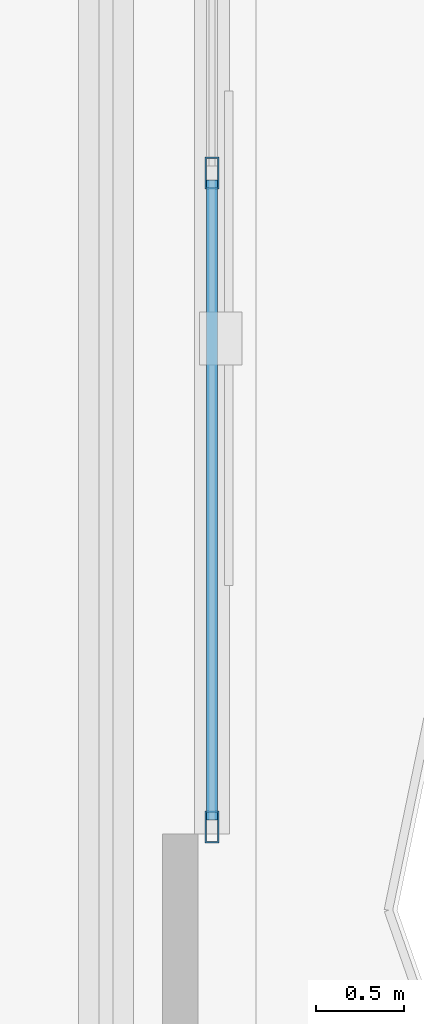
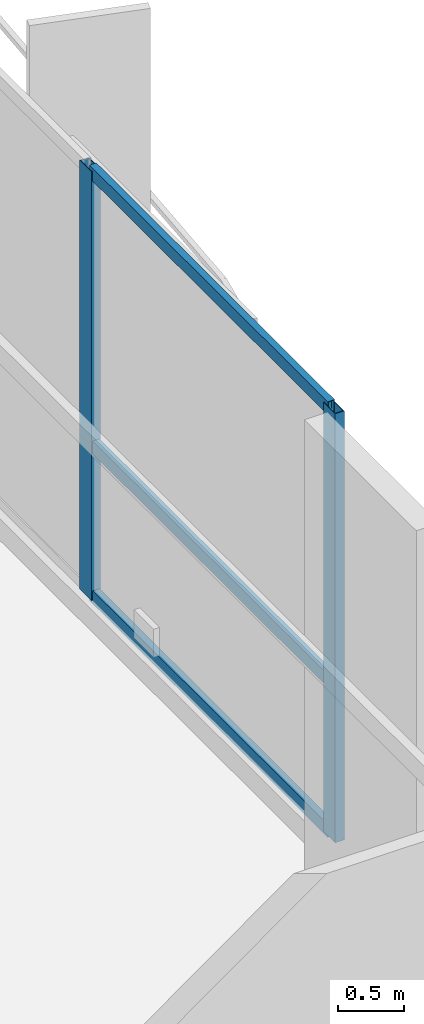
# One storey, part 7 of 20: 5 members, 1 element without a shape of its own.
"""IFC4 building model written with IfcOpenShell, lengths in metres."""

from ifc_helpers import new_model, si_unit, direction, frame, origin, origin_2d, place, context, subcontext, project, spatial, hollow_rectangle, extrude, material, layer, layer_set, material_profile, profile_set, type_object, element, aggregate, save


model = new_model("IFC4")

# Units and contexts
model_context = context("Model", 3, precision=1e-05, world=origin(), true_north=direction((0.0, 1.0)))
body_context = subcontext(model_context, "Body", "Model", "MODEL_VIEW")
ifc_project = project(units=[si_unit("LENGTHUNIT", "METRE"), si_unit("AREAUNIT", "SQUARE_METRE"), si_unit("VOLUMEUNIT", "CUBIC_METRE"), si_unit("PLANEANGLEUNIT", "RADIAN"), si_unit("MASSUNIT", "GRAM", prefix="KILO")], contexts=[model_context])

# Site, building, storey
site_placement = place(None, origin())
site = spatial("IfcSite", under=ifc_project, at=site_placement, CompositionType="ELEMENT")
building_placement = place(site_placement, origin())
building = spatial("IfcBuilding", under=site, at=building_placement, Name="Mersakhor Tower and Convention Hall", CompositionType="ELEMENT")
storey_placement = place(building_placement, frame((0.0, 0.0, 116.39990234375)))
storey = spatial("IfcBuildingStorey", under=building, at=storey_placement, Name="L32", CompositionType="ELEMENT", Elevation=116.39990234375)

# Curtain wall, members
ifc_material_1 = material(Name="Dark solar low-E aluminium curtain wall", Category="aluminium")
ifc_layer = layer(ifc_material_1, 0.199951171875)
ifc_layer_set = layer_set([ifc_layer], Name="Dark solar low-E aluminium curtain wall")
curtain_wall_type = type_object("IfcCurtainWallType", Name="CW-SYS-05", PredefinedType="USERDEFINED", material=ifc_layer_set)
curtain_wall_placement = place(storey_placement, origin())
curtain_wall = element("IfcCurtainWall", 1, at=curtain_wall_placement, inside=storey, type_object=curtain_wall_type, Name="L32 Dark-Glass Curtain Wall F2-B2", ObjectType="CURTAIN WALL", PredefinedType="USERDEFINED")
ifc_material_2 = material(Name="Anodised aluminium EN AW-6063 T6", Category="aluminium")
ifc_material_profile_1 = material_profile(ifc_material_2, hollow_rectangle(XDim=0.080078125, YDim=0.179931640625, WallThickness=0.008056640625, at=origin_2d()), Name="RHS 180x80x8")
ifc_profile_set_1 = profile_set([ifc_material_profile_1], Name="Anodised aluminium EN AW-6063 T6")
member_type_1 = type_object("IfcMemberType", Name="CWM-180x80", PredefinedType="MULLION", material=ifc_profile_set_1)
member_1_placement = place(storey_placement, frame((43.03466796875, 24.87841796875, 0.2001953125), z_axis=(0.0, 0.0, 1.0), x_axis=(1.0, 0.0, 0.0)))
member_1 = element("IfcMember", 2, at=member_1_placement, type_object=member_type_1, Name="CW-05 mullion 3", PredefinedType="MULLION", context=body_context, shape_type="SweptSolid", body=[
    extrude(hollow_rectangle(XDim=0.080078125, YDim=0.179931640625, WallThickness=0.008056640625, at=origin_2d()), origin(), (0.0, 0.0, 1.0), 3.97998046875),
])
member_2_placement = place(storey_placement, frame((43.03466796875, 21.17529296875, 0.2001953125), z_axis=(0.0, 0.0, 1.0), x_axis=(1.0, 0.0, 0.0)))
member_2 = element("IfcMember", 3, at=member_2_placement, type_object=member_type_1, Name="CW-05 mullion 4", PredefinedType="MULLION", context=body_context, shape_type="SweptSolid", body=[
    extrude(hollow_rectangle(XDim=0.080078125, YDim=0.179931640625, WallThickness=0.008056640625, at=origin_2d()), origin(), (0.0, 0.0, 1.0), 3.97998046875),
])
ifc_material_3 = material(Name="Anodised aluminium EN AW-6063 T6", Category="aluminium")
ifc_material_profile_2 = material_profile(ifc_material_3, hollow_rectangle(XDim=0.06005859375, YDim=0.1201171875, WallThickness=0.0048828125, at=origin_2d()), Name="RHS 120x60x5")
ifc_profile_set_2 = profile_set([ifc_material_profile_2], Name="Anodised aluminium EN AW-6063 T6")
member_type_2 = type_object("IfcMemberType", Name="CWT-120x60", PredefinedType="USERDEFINED", material=ifc_profile_set_2)
member_3_placement = place(storey_placement, frame((43.03466796875, 24.83837890625, 0.22998046875), z_axis=(0.0, -1.0, 0.0), x_axis=(1.0, 0.0, 0.0)))
member_3 = element("IfcMember", 4, at=member_3_placement, type_object=member_type_2, Name="CW-05 transom 3.1", ObjectType="TRANSOM", PredefinedType="USERDEFINED", context=body_context, shape_type="SweptSolid", body=[
    extrude(hollow_rectangle(XDim=0.06005859375, YDim=0.1201171875, WallThickness=0.0048828125, at=origin_2d()), origin(), (0.0, 0.0, 1.0), 3.623291015625),
])
member_4_placement = place(storey_placement, frame((43.03466796875, 24.83837890625, 1.6201171875), z_axis=(0.0, -1.0, 0.0), x_axis=(1.0, 0.0, 0.0)))
member_4 = element("IfcMember", 5, at=member_4_placement, type_object=member_type_2, Name="CW-05 transom 3.2", ObjectType="TRANSOM", PredefinedType="USERDEFINED", context=body_context, shape_type="SweptSolid", body=[
    extrude(hollow_rectangle(XDim=0.06005859375, YDim=0.1201171875, WallThickness=0.0048828125, at=origin_2d()), origin(), (0.0, 0.0, 1.0), 3.623291015625),
])
member_5_placement = place(storey_placement, frame((43.03466796875, 24.83837890625, 4.150146484375), z_axis=(0.0, -1.0, 0.0), x_axis=(1.0, 0.0, 0.0)))
member_5 = element("IfcMember", 6, at=member_5_placement, type_object=member_type_2, Name="CW-05 transom 3.3", ObjectType="TRANSOM", PredefinedType="USERDEFINED", context=body_context, shape_type="SweptSolid", body=[
    extrude(hollow_rectangle(XDim=0.06005859375, YDim=0.1201171875, WallThickness=0.0048828125, at=origin_2d()), origin(), (0.0, 0.0, 1.0), 3.623291015625),
])
aggregate(curtain_wall, [member_1, member_2, member_3, member_4, member_5])

save(model, "model.ifc")
